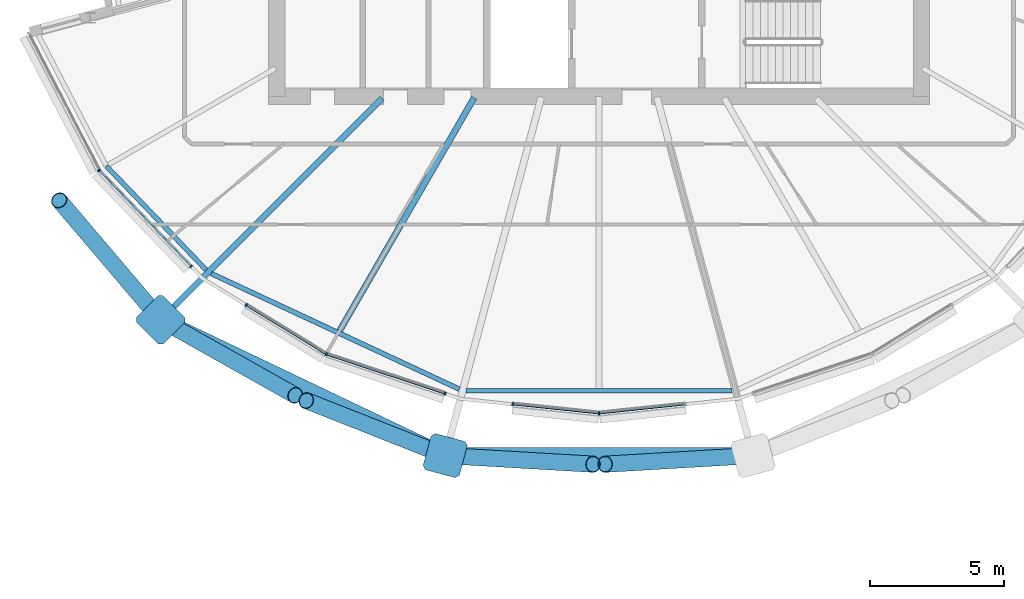
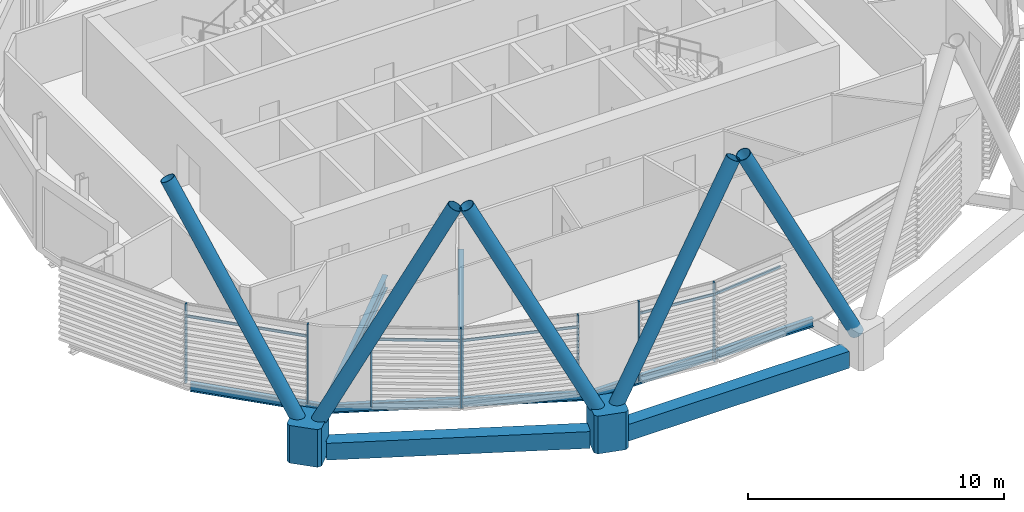
# One storey, part 3 of 37: 19 members, 7 beams, 1 element without a shape of its own.
"""IFC4 building model written with IfcOpenShell, lengths in metres."""

from ifc_helpers import new_model, si_unit, direction, frame, origin, origin_2d, place, context, subcontext, project, spatial, polyline, rectangle, hollow_rectangle, hollow_circle, i_section, outline, extrude, material, material_profile, profile_set, type_object, element, aggregate, save


model = new_model("IFC4")

# Units and contexts
model_context = context("Model", 3, precision=1e-05, world=origin(), true_north=direction((0.0, 1.0)))
body_context = subcontext(model_context, "Body", "Model", "MODEL_VIEW")
ifc_project = project(units=[si_unit("LENGTHUNIT", "METRE"), si_unit("AREAUNIT", "SQUARE_METRE"), si_unit("VOLUMEUNIT", "CUBIC_METRE"), si_unit("PLANEANGLEUNIT", "RADIAN"), si_unit("MASSUNIT", "GRAM", prefix="KILO")], contexts=[model_context])

# Site, building, storey
site_placement = place(None, origin())
site = spatial("IfcSite", under=ifc_project, at=site_placement, CompositionType="ELEMENT")
building_placement = place(site_placement, origin())
building = spatial("IfcBuilding", under=site, at=building_placement, Name="Rimbun Link Towers", CompositionType="ELEMENT")
storey_placement = place(building_placement, frame((0.0, 0.0, 170.300048828125)))
storey = spatial("IfcBuildingStorey", under=building, at=storey_placement, Name="L41", CompositionType="ELEMENT", Elevation=170.300048828125)

# Curtain wall, members
ifc_material_1 = material(Name="Aluminium 6063-T6 and low-iron glass", Category="aluminium")
curtain_wall_type = type_object("IfcCurtainWallType", Name="CW1-Z3 unitised vision wall (zone 3)", PredefinedType="NOTDEFINED", material=ifc_material_1)
curtain_wall_placement = place(storey_placement, origin())
curtain_wall = element("IfcCurtainWall", 1, at=curtain_wall_placement, inside=storey, type_object=curtain_wall_type, Name="CW1 L41 T1", PredefinedType="NOTDEFINED")
ifc_material_2 = material(Name="Aluminium 6063-T6", Category="aluminium")
ifc_material_profile_1 = material_profile(ifc_material_2, rectangle(XDim=0.1201171875, YDim=0.06005859375, at=origin_2d()), Name="MULLION 60X120")
ifc_profile_set_1 = profile_set([ifc_material_profile_1], Name="Aluminium 6063-T6")
member_type_1 = type_object("IfcMemberType", Name="CW1 mullion 60X120", PredefinedType="MULLION", material=ifc_profile_set_1)
member_1_placement = place(storey_placement, frame((-50.372314453125, -10.75830078125, 0.0), z_axis=(0.0, 0.0, 1.0), x_axis=(-0.813350034024, -0.581774631754, 0.0)))
member_1 = element("IfcMember", 2, at=member_1_placement, type_object=member_type_1, Name="CW1 mullion", PredefinedType="MULLION", context=body_context, shape_type="SweptSolid", body=[
    extrude(rectangle(XDim=0.1201171875, YDim=0.06005859375, at=origin_2d()), origin(), (0.0, 0.0, 1.0), 3.800048828125),
])
member_2_placement = place(storey_placement, frame((-46.93994140625, -14.339599609375, 0.0), z_axis=(0.0, 0.0, 1.0), x_axis=(-0.721853979368, -0.692045397695, 0.0)))
member_2 = element("IfcMember", 3, at=member_2_placement, type_object=member_type_1, Name="CW1 mullion", PredefinedType="MULLION", context=body_context, shape_type="SweptSolid", body=[
    extrude(rectangle(XDim=0.1201171875, YDim=0.06005859375, at=origin_2d()), origin(), (0.0, 0.0, 1.0), 3.800048828125),
])
member_3_placement = place(storey_placement, frame((-41.909912109375, -17.60791015625, 0.0), z_axis=(0.0, 0.0, 1.0), x_axis=(-0.421696857655, -0.906736874867, 0.0)))
member_3 = element("IfcMember", 4, at=member_3_placement, type_object=member_type_1, Name="CW1 mullion", PredefinedType="MULLION", context=body_context, shape_type="SweptSolid", body=[
    extrude(rectangle(XDim=0.1201171875, YDim=0.06005859375, at=origin_2d()), origin(), (0.0, 0.0, 1.0), 3.800048828125),
])
member_4_placement = place(storey_placement, frame((-44.8935546875, -15.776611328125, 0.0), z_axis=(0.0, 0.0, 1.0), x_axis=(-0.523231382934, -0.852190659368, 0.0)))
member_4 = element("IfcMember", 5, at=member_4_placement, type_object=member_type_1, Name="CW1 mullion", PredefinedType="MULLION", context=body_context, shape_type="SweptSolid", body=[
    extrude(rectangle(XDim=0.1201171875, YDim=0.06005859375, at=origin_2d()), origin(), (0.0, 0.0, 1.0), 3.800048828125),
])
member_5_placement = place(storey_placement, frame((-37.48486328125, -19.07470703125, 0.0), z_axis=(0.0, 0.0, 1.0), x_axis=(-0.314560279601, -0.949237499521, 0.0)))
member_5 = element("IfcMember", 6, at=member_5_placement, type_object=member_type_1, Name="CW1 mullion", PredefinedType="MULLION", context=body_context, shape_type="SweptSolid", body=[
    extrude(rectangle(XDim=0.1201171875, YDim=0.06005859375, at=origin_2d()), origin(), (0.0, 0.0, 1.0), 3.800048828125),
])
member_6_placement = place(storey_placement, frame((-31.75, -19.80859375, 0.0), z_axis=(0.0, 0.0, 1.0), x_axis=(0.0, -1.0, 0.0)))
member_6 = element("IfcMember", 7, at=member_6_placement, type_object=member_type_1, Name="CW1 mullion", PredefinedType="MULLION", context=body_context, shape_type="SweptSolid", body=[
    extrude(rectangle(XDim=0.1201171875, YDim=0.06005859375, at=origin_2d()), origin(), (0.0, 0.0, 1.0), 3.800048828125),
])
member_7_placement = place(storey_placement, frame((-34.96337890625, -19.470458984375, 0.0), z_axis=(0.0, 0.0, 1.0), x_axis=(-0.104737092036, -0.994499945476, 0.0)))
member_7 = element("IfcMember", 8, at=member_7_placement, type_object=member_type_1, Name="CW1 mullion", PredefinedType="MULLION", context=body_context, shape_type="SweptSolid", body=[
    extrude(rectangle(XDim=0.1201171875, YDim=0.06005859375, at=origin_2d()), origin(), (0.0, 0.0, 1.0), 3.800048828125),
])
ifc_material_3 = material(Name="Aluminium 6063-T6", Category="aluminium")
ifc_material_profile_2 = material_profile(ifc_material_3, rectangle(XDim=0.06005859375, YDim=0.1201171875, at=origin_2d()), Name="TRANSOM 60X120")
ifc_profile_set_2 = profile_set([ifc_material_profile_2], Name="Aluminium 6063-T6")
member_type_2 = type_object("IfcMemberType", Name="CW1 transom 60X120", PredefinedType="USERDEFINED", material=ifc_profile_set_2)
member_8_placement = place(storey_placement, frame((-46.959228515625, -14.316650390625, 3.199951171875), z_axis=(-0.692052764793, 0.721846916418, 0.0), x_axis=(-0.721846916418, -0.692052764793, 0.0)))
member_8 = element("IfcMember", 9, at=member_8_placement, type_object=member_type_2, Name="CW1 transom", ObjectType="TRANSOM", PredefinedType="USERDEFINED", context=body_context, shape_type="SweptSolid", body=[
    extrude(rectangle(XDim=0.06005859375, YDim=0.1201171875, at=origin_2d()), origin(), (0.0, 0.0, 1.0), 4.891845703125),
])
member_9_placement = place(storey_placement, frame((-41.9404296875, -17.58740234375, 3.199951171875), z_axis=(-0.852185129283, 0.523240389716, 0.0), x_axis=(-0.523240389716, -0.852185129283, 0.0)))
member_9 = element("IfcMember", 10, at=member_9_placement, type_object=member_type_2, Name="CW1 transom", ObjectType="TRANSOM", PredefinedType="USERDEFINED", context=body_context, shape_type="SweptSolid", body=[
    extrude(rectangle(XDim=0.06005859375, YDim=0.1201171875, at=origin_2d()), origin(), (0.0, 0.0, 1.0), 3.43408203125),
])
member_10_placement = place(storey_placement, frame((-37.5126953125, -19.0634765625, 3.199951171875), z_axis=(-0.949239729091, 0.314553551426, 0.0), x_axis=(-0.314553551426, -0.949239729091, 0.0)))
member_10 = element("IfcMember", 11, at=member_10_placement, type_object=member_type_2, Name="CW1 transom", ObjectType="TRANSOM", PredefinedType="USERDEFINED", context=body_context, shape_type="SweptSolid", body=[
    extrude(rectangle(XDim=0.06005859375, YDim=0.1201171875, at=origin_2d()), origin(), (0.0, 0.0, 1.0), 4.5947265625),
])
member_11_placement = place(storey_placement, frame((-31.785888671875, -19.80322265625, 3.199951171875), z_axis=(-0.994497841897, 0.104757064016, 0.0), x_axis=(-0.104757064016, -0.994497841897, 0.0)))
member_11 = element("IfcMember", 12, at=member_11_placement, type_object=member_type_2, Name="CW1 transom", ObjectType="TRANSOM", PredefinedType="USERDEFINED", context=body_context, shape_type="SweptSolid", body=[
    extrude(rectangle(XDim=0.06005859375, YDim=0.1201171875, at=origin_2d()), origin(), (0.0, 0.0, 1.0), 3.164794921875),
])
member_12_placement = place(storey_placement, frame((-28.566650390625, -19.4716796875, 3.199951171875), z_axis=(-0.994497841897, -0.104757064016, 0.0), x_axis=(0.104757064016, -0.994497841897, 0.0)))
member_12 = element("IfcMember", 13, at=member_12_placement, type_object=member_type_2, Name="CW1 transom", ObjectType="TRANSOM", PredefinedType="USERDEFINED", context=body_context, shape_type="SweptSolid", body=[
    extrude(rectangle(XDim=0.06005859375, YDim=0.1201171875, at=origin_2d()), origin(), (0.0, 0.0, 1.0), 3.164794921875),
])
aggregate(curtain_wall, [member_1, member_2, member_3, member_4, member_5, member_6, member_7, member_8, member_9, member_10, member_11, member_12])

# Members
ifc_material_4 = material(Name="Steel S355J2H", Category="steel")
ifc_material_profile_3 = material_profile(ifc_material_4, hollow_circle(Radius=0.3046875, WallThickness=0.02490234375, at=origin_2d()), Name="Diagrid diagonal CHS 610x25")
ifc_profile_set_3 = profile_set([ifc_material_profile_3], Name="Steel S355J2H")
member_type_3 = type_object("IfcMemberType", Name="Diagrid diagonal CHS 610x25", PredefinedType="BRACE", material=ifc_profile_set_3)
member_13_placement = place(storey_placement, frame((-48.224609375, -16.14306640625, 0.441162109375), z_axis=(-0.304496138641, 0.358253648416, 0.882573750431), x_axis=(-0.761959744165, -0.647624388262, 0.0)))
element("IfcMember", 14, at=member_13_placement, inside=storey, type_object=member_type_3, Name="Diagrid diagonal T1 L41-L44 15a", PredefinedType="BRACE", context=body_context, shape_type="SweptSolid", body=[
    extrude(hollow_circle(Radius=0.3046875, WallThickness=0.02490234375, at=origin_2d()), origin(), (0.0, 0.0, 1.0), 11.9169921875),
])
member_14_placement = place(storey_placement, frame((-47.869873046875, -16.435791015625, 0.44287109375), z_axis=(0.404647513126, -0.227507536986, 0.885720447283), x_axis=(0.490086644612, 0.871673723806, 0.0)))
element("IfcMember", 15, at=member_14_placement, inside=storey, type_object=member_type_3, Name="Diagrid diagonal T1 L41-L44 15b", PredefinedType="BRACE", context=body_context, shape_type="SweptSolid", body=[
    extrude(hollow_circle(Radius=0.3046875, WallThickness=0.02490234375, at=origin_2d()), origin(), (0.0, 0.0, 1.0), 11.870849609375),
])
member_15_placement = place(storey_placement, frame((-37.689208984375, -21.296630859375, 0.44580078125), z_axis=(-0.421187646569, 0.166556991544, 0.8915490648), x_axis=(-0.367737070118, -0.929929807707, 0.0)))
element("IfcMember", 16, at=member_15_placement, inside=storey, type_object=member_type_3, Name="Diagrid diagonal T1 L41-L44 17a", PredefinedType="BRACE", context=body_context, shape_type="SweptSolid", body=[
    extrude(hollow_circle(Radius=0.3046875, WallThickness=0.02490234375, at=origin_2d()), origin(), (0.0, 0.0, 1.0), 11.78662109375),
])
for number, where, z_axis, x_axis, name in (
    (17, (-37.25439453125, -21.39306640625, 0.446533203125), (0.448868105626, -0.026275813646, 0.893211624067), (0.058437900023, 0.998291045658, 0.0), "Diagrid diagonal T1 L41-L44 17b"),
    (18, (-26.24560546875, -21.39306640625, 0.446533203125), (-0.448868105626, -0.026275813646, 0.893211624067), (0.058437900023, -0.998291045658, 0.0), "Diagrid diagonal T1 L41-L44 19a"),
):
    element("IfcMember", number, at=place(storey_placement, frame(where, z_axis=z_axis, x_axis=x_axis)), inside=storey, type_object=member_type_3, Name=name, PredefinedType="BRACE", context=body_context, shape_type="SweptSolid", body=[
        extrude(hollow_circle(Radius=0.3046875, WallThickness=0.02490234375, at=origin_2d()), origin(), (0.0, 0.0, 1.0), 11.762939453125),
    ])
ifc_material_5 = material(Name="Cast steel G20Mn5+QT, Rp0.2 300 MPa", Category="steel")
ifc_material_profile_4 = material_profile(ifc_material_5, outline(polyline([(0.699951171875, -0.570068359375), (0.699951171875, 0.570068359375), (0.570068359375, 0.699951171875), (-0.570068359375, 0.699951171875), (-0.699951171875, 0.570068359375), (-0.699951171875, -0.570068359375), (-0.570068359375, -0.699951171875), (0.570068359375, -0.699951171875), (0.699951171875, -0.570068359375)])), Name="NODE 1400x1400")
ifc_profile_set_4 = profile_set([ifc_material_profile_4], Name="Cast steel G20Mn5+QT, Rp0.2 300 MPa")
member_type_4 = type_object("IfcMemberType", Name="Diagrid node cast 1400", PredefinedType="USERDEFINED", material=ifc_profile_set_4)
for number, where, z_axis, x_axis, name in (
    (19, (-48.072265625, -16.322265625, -0.900146484375), (0.0, 0.0, 1.0), (-0.707106781187, -0.707106781187, 0.0), "Diagrid node L41 15"),
    (20, (-37.478759765625, -21.3798828125, -0.900146484375), (0.0, 0.0, 1.0), (-0.258819045103, -0.965925826289, 0.0), "Diagrid node L41 17"),
):
    element("IfcMember", number, at=place(storey_placement, frame(where, z_axis=z_axis, x_axis=x_axis)), inside=storey, type_object=member_type_4, Name=name, ObjectType="Diagrid node", PredefinedType="USERDEFINED", context=body_context, shape_type="SweptSolid", body=[
        extrude(outline(polyline([(0.699951171875, -0.570068359375), (0.699951171875, 0.570068359375), (0.570068359375, 0.699951171875), (-0.570068359375, 0.699951171875), (-0.699951171875, 0.570068359375), (-0.699951171875, -0.570068359375), (-0.570068359375, -0.699951171875), (0.570068359375, -0.699951171875), (0.699951171875, -0.570068359375)])), origin(), (0.0, 0.0, 1.0), 1.800048828125),
    ])

# Beams
ifc_material_6 = material(Name="Steel S355J2", Category="steel")
ifc_material_profile_5 = material_profile(ifc_material_6, hollow_rectangle(XDim=0.60009765625, YDim=0.800048828125, WallThickness=0.0400390625, at=origin_2d()), Name="Exoskeleton ring girder BOX 600x800x40")
ifc_profile_set_5 = profile_set([ifc_material_profile_5], Name="Steel S355J2")
beam_type_1 = type_object("IfcBeamType", Name="Exoskeleton ring girder BOX 600x800x40", PredefinedType="BEAM", material=ifc_profile_set_5)
beam_1_placement = place(storey_placement, frame((-47.4404296875, -16.623779296875, -0.56005859375), z_axis=(0.902420946705, -0.430855468746, 0.0), x_axis=(0.430855468746, 0.902420946705, 0.0)))
element("IfcBeam", 21, at=beam_1_placement, inside=storey, type_object=beam_type_1, Name="Exoskeleton ring girder L41 04", PredefinedType="BEAM", context=body_context, shape_type="SweptSolid", body=[
    extrude(hollow_rectangle(XDim=0.60009765625, YDim=0.800048828125, WallThickness=0.0400390625, at=origin_2d()), origin(), (0.0, 0.0, 1.0), 10.3388671875),
])
beam_2_placement = place(storey_placement, frame((-36.77880859375, -21.3798828125, -0.56005859375), z_axis=(1.0, 0.0, 0.0), x_axis=(0.0, 1.0, 0.0)))
element("IfcBeam", 22, at=beam_2_placement, inside=storey, type_object=beam_type_1, Name="Exoskeleton ring girder L41 05", PredefinedType="BEAM", context=body_context, shape_type="SweptSolid", body=[
    extrude(hollow_rectangle(XDim=0.60009765625, YDim=0.800048828125, WallThickness=0.0400390625, at=origin_2d()), origin(), (0.0, 0.0, 1.0), 10.0576171875),
])
ifc_material_7 = material(Name="Steel S355J2", Category="steel")
ifc_material_profile_6 = material_profile(ifc_material_7, i_section(OverallWidth=0.177978515625, OverallDepth=0.406494140625, WebThickness=0.0078125, FlangeThickness=0.0126953125, at=origin_2d()), Name="UB 406x178x60")
ifc_profile_set_6 = profile_set([ifc_material_profile_6], Name="Steel S355J2")
beam_type_2 = type_object("IfcBeamType", Name="UB 406x178x60", PredefinedType="BEAM", material=ifc_profile_set_6)
beam_3_placement = place(storey_placement, frame((-50.091064453125, -10.604736328125, -0.353271484375), z_axis=(0.692948339649, -0.720987238845, 0.0), x_axis=(0.720987238845, 0.692948339649, 0.0)))
element("IfcBeam", 23, at=beam_3_placement, inside=storey, type_object=beam_type_2, Name="Edge beam T1 L41 14", PredefinedType="BEAM", context=body_context, shape_type="SweptSolid", body=[
    extrude(i_section(OverallWidth=0.177978515625, OverallDepth=0.406494140625, WebThickness=0.0078125, FlangeThickness=0.0126953125, at=origin_2d()), origin(), (0.0, 0.0, 1.0), 5.35498046875),
])
beam_4_placement = place(storey_placement, frame((-46.18896484375, -14.60107421875, -0.353271484375), z_axis=(0.906411214108, -0.422396390775, 0.0), x_axis=(0.422396390775, 0.906411214108, 0.0)))
element("IfcBeam", 24, at=beam_4_placement, inside=storey, type_object=beam_type_2, Name="Edge beam T1 L41 15-17", PredefinedType="BEAM", context=body_context, shape_type="SweptSolid", body=[
    extrude(i_section(OverallWidth=0.177978515625, OverallDepth=0.406494140625, WebThickness=0.0078125, FlangeThickness=0.0126953125, at=origin_2d()), origin(), (0.0, 0.0, 1.0), 10.194580078125),
])
beam_5_placement = place(storey_placement, frame((-36.698486328125, -18.962158203125, -0.353271484375), z_axis=(1.0, 0.0, 0.0), x_axis=(0.0, 1.0, 0.0)))
element("IfcBeam", 25, at=beam_5_placement, inside=storey, type_object=beam_type_2, Name="Edge beam T1 L41 17-19", PredefinedType="BEAM", context=body_context, shape_type="SweptSolid", body=[
    extrude(i_section(OverallWidth=0.177978515625, OverallDepth=0.406494140625, WebThickness=0.0078125, FlangeThickness=0.0126953125, at=origin_2d()), origin(), (0.0, 0.0, 1.0), 9.89697265625),
])
ifc_material_8 = material(Name="Steel S355J2", Category="steel")
ifc_material_profile_7 = material_profile(ifc_material_8, i_section(OverallWidth=0.2275390625, OverallDepth=0.6025390625, WebThickness=0.010498046875, FlangeThickness=0.014892578125, at=origin_2d()), Name="UB 610x229x101")
ifc_profile_set_7 = profile_set([ifc_material_profile_7], Name="Steel S355J2")
beam_type_3 = type_object("IfcBeamType", Name="UB 610x229x101", PredefinedType="BEAM", material=ifc_profile_set_7)
beam_6_placement = place(storey_placement, frame((-39.831298828125, -8.081298828125, -0.451416015625), z_axis=(-0.707106781187, -0.707106781187, 0.0), x_axis=(0.707106781187, -0.707106781187, 0.0)))
element("IfcBeam", 26, at=beam_6_placement, inside=storey, type_object=beam_type_3, Name="Radial beam T1 L41 15", PredefinedType="BEAM", context=body_context, shape_type="SweptSolid", body=[
    extrude(i_section(OverallWidth=0.2275390625, OverallDepth=0.6025390625, WebThickness=0.010498046875, FlangeThickness=0.014892578125, at=origin_2d()), origin(), (0.0, 0.0, 1.0), 11.154296875),
])
beam_7_placement = place(storey_placement, frame((-36.402099609375, -8.057861328125, -0.451416015625), z_axis=(-0.500001751638, -0.866024392473, 0.0), x_axis=(0.866024392473, -0.500001751638, 0.0)))
element("IfcBeam", 27, at=beam_7_placement, inside=storey, type_object=beam_type_3, Name="Radial beam T1 L41 16", PredefinedType="BEAM", context=body_context, shape_type="SweptSolid", body=[
    extrude(i_section(OverallWidth=0.2275390625, OverallDepth=0.6025390625, WebThickness=0.010498046875, FlangeThickness=0.014892578125, at=origin_2d()), origin(), (0.0, 0.0, 1.0), 10.01318359375),
])

save(model, "model.ifc")
